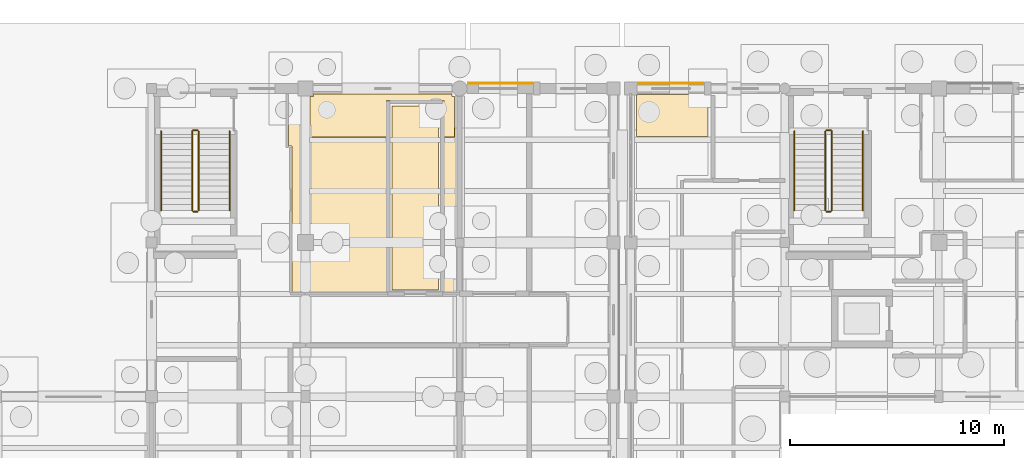
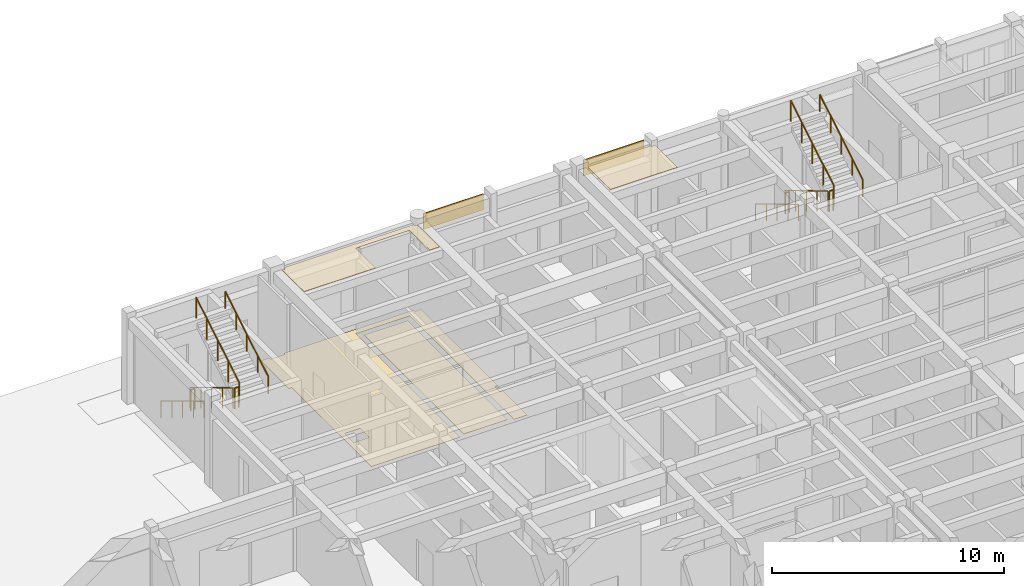
# One storey, part 134 of 143: 12 railings, 6 coverings.
"""IFC4 building model written with IfcOpenShell, lengths in metres."""

from ifc_helpers import new_model, si_unit, direction, frame, origin, origin_2d, place, context, subcontext, project, spatial, polyline, rectangle, circle, outline, extrude, material, layer, layer_set, type_object, element, save


model = new_model("IFC4")

# Units and contexts
model_context = context("Model", 3, precision=1e-05, world=origin(), true_north=direction((0.0, 1.0)))
body_context = subcontext(model_context, "Body", "Model", "MODEL_VIEW")
ifc_project = project(units=[si_unit("LENGTHUNIT", "METRE"), si_unit("AREAUNIT", "SQUARE_METRE"), si_unit("VOLUMEUNIT", "CUBIC_METRE"), si_unit("PLANEANGLEUNIT", "RADIAN"), si_unit("MASSUNIT", "GRAM", prefix="KILO")], contexts=[model_context])

# Site, building, storey
site_placement = place(None, origin())
site = spatial("IfcSite", under=ifc_project, at=site_placement, CompositionType="ELEMENT")
building_placement = place(site_placement, origin())
building = spatial("IfcBuilding", under=site, at=building_placement, Name="Steenspoor Specialist Clinic", CompositionType="ELEMENT")
storey_placement = place(building_placement, origin())
storey = spatial("IfcBuildingStorey", under=building, at=storey_placement, Name="L00", CompositionType="ELEMENT", Elevation=0.0)

# Coverings
ifc_material_1 = material(Name="Washable acoustic mineral ceiling board", Category="gypsum")
ifc_layer_1 = layer(ifc_material_1, 0.02490234375)
ifc_layer_set_1 = layer_set([ifc_layer_1], Name="Washable acoustic mineral ceiling board")
covering_type_1 = type_object("IfcCoveringType", Name="COV-CEIL-ACOUSTIC", PredefinedType="CEILING", material=ifc_layer_set_1)
covering_1_placement = place(storey_placement, frame((0.0, 0.0, 4.52490234375)))
element("IfcCovering", 1, at=covering_1_placement, inside=storey, type_object=covering_type_1, Name="Acoustic Clinical Ceiling 064", PredefinedType="CEILING", context=body_context, shape_type="SweptSolid", body=[
    extrude(outline(polyline([(52.675048828125, 108.034912109375), (52.715087890625, 108.034912109375), (52.715087890625, 108.074951171875), (55.8349609375, 108.074951171875), (55.8349609375, 108.02490234375), (56.014892578125, 108.02490234375), (56.014892578125, 106.10009765625), (52.675048828125, 106.10009765625), (52.675048828125, 108.034912109375)])), origin(), (0.0, 0.0, 1.0), 0.025146484375),
])
covering_2_placement = place(storey_placement, frame((0.0, 0.0, 4.4951171875)))
element("IfcCovering", 2, at=covering_2_placement, inside=storey, type_object=covering_type_1, Name="Acoustic Clinical Ceiling 080", PredefinedType="CEILING", context=body_context, shape_type="SweptSolid", body=[
    extrude(outline(polyline([(43.6650390625, 107.794921875), (40.985107421875, 107.794921875), (40.985107421875, 106.090087890625), (37.419921875, 106.090087890625), (37.419921875, 107.985107421875), (37.56494140625, 107.985107421875), (37.56494140625, 108.090087890625), (44.034912109375, 108.090087890625), (44.034912109375, 107.985107421875), (44.155029296875, 107.985107421875), (44.155029296875, 106.090087890625), (43.6650390625, 106.090087890625), (43.6650390625, 107.794921875)])), origin(), (0.0, 0.0, 1.0), 0.02490234375),
])
ifc_material_2 = material(Name="Glazed ceramic relief spandrel cladding", Category="masonry")
ifc_layer_2 = layer(ifc_material_2, 0.034912109375)
ifc_layer_set_2 = layer_set([ifc_layer_2], Name="Glazed ceramic relief spandrel cladding")
covering_type_2 = type_object("IfcCoveringType", Name="COV-CLAD-CERAMIC", PredefinedType="CLADDING", material=ifc_layer_set_2)
covering_3_placement = place(storey_placement, frame((54.27490234375, 108.60009765625, 3.71484375), z_axis=(0.0, 0.0, 1.0), x_axis=(1.0, 0.0, 0.0)))
element("IfcCovering", 3, at=covering_3_placement, inside=storey, type_object=covering_type_2, Name="Spandrel Cladding 23", PredefinedType="CLADDING", context=body_context, shape_type="SweptSolid", body=[
    extrude(rectangle(XDim=3.030029296875, YDim=0.0400390625, at=origin_2d()), origin(), (0.0, 0.0, 1.0), 0.840087890625),
])
covering_4_placement = place(storey_placement, frame((46.300048828125, 108.60009765625, 3.68505859375), z_axis=(0.0, 0.0, 1.0), x_axis=(1.0, 0.0, 0.0)))
element("IfcCovering", 4, at=covering_4_placement, inside=storey, type_object=covering_type_2, Name="Spandrel Cladding 67", PredefinedType="CLADDING", context=body_context, shape_type="SweptSolid", body=[
    extrude(rectangle(XDim=2.97998046875, YDim=0.0400390625, at=origin_2d()), origin(), (0.0, 0.0, 1.0), 0.840087890625),
])
ifc_material_3 = material(Name="Seamless clinical vinyl and terrazzo flooring", Category="plastic")
ifc_layer_3 = layer(ifc_material_3, 0.02001953125)
ifc_layer_set_3 = layer_set([ifc_layer_3], Name="Seamless clinical vinyl and terrazzo flooring")
covering_type_3 = type_object("IfcCoveringType", Name="COV-FLOOR-VINYL", PredefinedType="FLOORING", material=ifc_layer_set_3)
covering_5_placement = place(storey_placement, origin())
element("IfcCovering", 5, at=covering_5_placement, inside=storey, type_object=covering_type_3, Name="Clinical Vinyl Flooring 114", PredefinedType="FLOORING", context=body_context, shape_type="SweptSolid", body=[
    extrude(outline(polyline([(43.409912109375, 107.5400390625), (43.409912109375, 98.93994140625), (41.239990234375, 98.93994140625), (41.239990234375, 107.5400390625), (43.409912109375, 107.5400390625)])), origin(), (0.0, 0.0, 1.0), 0.02001953125),
])
covering_6_placement = place(storey_placement, origin())
element("IfcCovering", 6, at=covering_6_placement, inside=storey, type_object=covering_type_3, Name="Clinical Vinyl Flooring 115", PredefinedType="FLOORING", context=body_context, shape_type="SweptSolid", body=[
    extrude(outline(polyline([(43.6650390625, 98.81494140625), (43.6650390625, 107.794921875), (40.985107421875, 107.794921875), (40.985107421875, 98.81494140625), (36.56494140625, 98.81494140625), (36.56494140625, 105.6650390625), (36.4150390625, 105.6650390625), (36.4150390625, 108.090087890625), (36.8349609375, 108.090087890625), (36.8349609375, 107.985107421875), (37.56494140625, 107.985107421875), (37.56494140625, 108.090087890625), (44.034912109375, 108.090087890625), (44.034912109375, 107.985107421875), (44.3349609375, 107.985107421875), (44.3349609375, 101.364990234375), (44.18505859375, 101.364990234375), (44.18505859375, 100.93505859375), (44.3349609375, 100.93505859375), (44.3349609375, 98.81494140625), (43.6650390625, 98.81494140625)]), holes=[polyline([(37.590087890625, 101.5400390625), (36.81005859375, 101.5400390625), (36.81005859375, 100.760009765625), (37.590087890625, 100.760009765625), (37.590087890625, 101.5400390625)])]), origin(), (0.0, 0.0, 1.0), 0.02001953125),
])

# Railings
ifc_material_4 = material(Name="Painted architectural steel balustrade", Category="steel")
railing_type_1 = type_object("IfcRailingType", Name="RAIL-GUARD-1100", PredefinedType="GUARDRAIL", material=ifc_material_4)
railing_1_placement = place(storey_placement, frame((61.5, 106.35009765625, 0.17138671875)))
element("IfcRailing", 7, at=railing_1_placement, inside=storey, type_object=railing_type_1, Name="L00 ST-V4A stair guard 1", PredefinedType="GUARDRAIL", context=body_context, shape_type="SweptSolid", body=[
    extrude(circle(Radius=0.02392578125, at=origin_2d()), frame((0.0, 0.0, 1.076171875), z_axis=(0.0, -0.856934400257, 0.515425487977), x_axis=(1.0, 0.0, 0.0)), (0.0, 0.0, 1.0), 4.32373046875),
    extrude(circle(Radius=0.02099609375, at=origin_2d()), origin(), (0.0, 0.0, 1.0), 1.052001953125),
    extrude(circle(Radius=0.02099609375, at=origin_2d()), frame((0.0, -0.92626953125, 0.55712890625)), (0.0, 0.0, 1.0), 1.052001953125),
    extrude(circle(Radius=0.02099609375, at=origin_2d()), frame((0.0, -1.8525390625, 1.1142578125)), (0.0, 0.0, 1.0), 1.052001953125),
    extrude(circle(Radius=0.02099609375, at=origin_2d()), frame((0.0, -2.77880859375, 1.67138671875)), (0.0, 0.0, 1.0), 1.052001953125),
    extrude(circle(Radius=0.02099609375, at=origin_2d()), frame((0.0, -3.705078125, 2.228515625)), (0.0, 0.0, 1.0), 1.052001953125),
])
railing_2_placement = place(storey_placement, frame((61.550048828125, 102.594970703125, 2.39990234375)))
element("IfcRailing", 8, at=railing_2_placement, inside=storey, type_object=railing_type_1, Name="L00 ST-V4A stair guard 2", PredefinedType="GUARDRAIL", context=body_context, shape_type="SweptSolid", body=[
    extrude(circle(Radius=0.02392578125, at=origin_2d()), frame((0.0, 0.0, 1.076171875), z_axis=(1.0, 0.0, 0.0), x_axis=(0.0, 1.0, 0.0)), (0.0, 0.0, 1.0), 0.199951171875),
    extrude(circle(Radius=0.02099609375, at=origin_2d()), origin(), (0.0, 0.0, 1.0), 1.052001953125),
    extrude(circle(Radius=0.02099609375, at=origin_2d()), frame((0.199951171875, 0.0, 0.0)), (0.0, 0.0, 1.0), 1.052001953125),
])
railing_3_placement = place(storey_placement, frame((61.800048828125, 102.64501953125, 2.571533203125)))
element("IfcRailing", 9, at=railing_3_placement, inside=storey, type_object=railing_type_1, Name="L00 ST-V4A stair guard 3", PredefinedType="GUARDRAIL", context=body_context, shape_type="SweptSolid", body=[
    extrude(circle(Radius=0.02392578125, at=origin_2d()), frame((0.0, 0.0, 1.076171875), z_axis=(0.0, 0.856934400257, 0.515425487977), x_axis=(-1.0, 0.0, 0.0)), (0.0, 0.0, 1.0), 4.32373046875),
    extrude(circle(Radius=0.02099609375, at=origin_2d()), origin(), (0.0, 0.0, 1.0), 1.052001953125),
    extrude(circle(Radius=0.02099609375, at=origin_2d()), frame((0.0, 0.92626953125, 0.55712890625)), (0.0, 0.0, 1.0), 1.052001953125),
    extrude(circle(Radius=0.02099609375, at=origin_2d()), frame((0.0, 1.8525390625, 1.1142578125)), (0.0, 0.0, 1.0), 1.052001953125),
    extrude(circle(Radius=0.02099609375, at=origin_2d()), frame((0.0, 2.77880859375, 1.67138671875)), (0.0, 0.0, 1.0), 1.052001953125),
    extrude(circle(Radius=0.02099609375, at=origin_2d()), frame((0.0, 3.705078125, 2.228515625)), (0.0, 0.0, 1.0), 1.052001953125),
])
railing_4_placement = place(storey_placement, frame((61.550048828125, 106.39990234375, 0.0)))
element("IfcRailing", 10, at=railing_4_placement, inside=storey, type_object=railing_type_1, Name="L00 ST-V4A stair guard 4", PredefinedType="GUARDRAIL", context=body_context, shape_type="SweptSolid", body=[
    extrude(circle(Radius=0.02392578125, at=origin_2d()), frame((0.0, 0.0, 1.076171875), z_axis=(1.0, 0.0, 0.0), x_axis=(0.0, 1.0, 0.0)), (0.0, 0.0, 1.0), 0.199951171875),
    extrude(circle(Radius=0.02099609375, at=origin_2d()), origin(), (0.0, 0.0, 1.0), 1.052001953125),
    extrude(circle(Radius=0.02099609375, at=origin_2d()), frame((0.199951171875, 0.0, 0.0)), (0.0, 0.0, 1.0), 1.052001953125),
])
railing_5_placement = place(storey_placement, frame((31.89990234375, 106.35009765625, 0.17138671875)))
element("IfcRailing", 11, at=railing_5_placement, inside=storey, type_object=railing_type_1, Name="L00 ST-V5A stair guard 1", PredefinedType="GUARDRAIL", context=body_context, shape_type="SweptSolid", body=[
    extrude(circle(Radius=0.02392578125, at=origin_2d()), frame((0.0, 0.0, 1.076171875), z_axis=(0.0, -0.856934400257, 0.515425487977), x_axis=(1.0, 0.0, 0.0)), (0.0, 0.0, 1.0), 4.32373046875),
    extrude(circle(Radius=0.02099609375, at=origin_2d()), origin(), (0.0, 0.0, 1.0), 1.052001953125),
    extrude(circle(Radius=0.02099609375, at=origin_2d()), frame((0.0, -0.92626953125, 0.55712890625)), (0.0, 0.0, 1.0), 1.052001953125),
    extrude(circle(Radius=0.02099609375, at=origin_2d()), frame((0.0, -1.8525390625, 1.1142578125)), (0.0, 0.0, 1.0), 1.052001953125),
    extrude(circle(Radius=0.02099609375, at=origin_2d()), frame((0.0, -2.77880859375, 1.67138671875)), (0.0, 0.0, 1.0), 1.052001953125),
    extrude(circle(Radius=0.02099609375, at=origin_2d()), frame((0.0, -3.705078125, 2.228515625)), (0.0, 0.0, 1.0), 1.052001953125),
])
railing_6_placement = place(storey_placement, frame((31.949951171875, 102.594970703125, 2.39990234375)))
element("IfcRailing", 12, at=railing_6_placement, inside=storey, type_object=railing_type_1, Name="L00 ST-V5A stair guard 2", PredefinedType="GUARDRAIL", context=body_context, shape_type="SweptSolid", body=[
    extrude(circle(Radius=0.02392578125, at=origin_2d()), frame((0.0, 0.0, 1.076171875), z_axis=(1.0, 0.0, 0.0), x_axis=(0.0, 1.0, 0.0)), (0.0, 0.0, 1.0), 0.199951171875),
    extrude(circle(Radius=0.02099609375, at=origin_2d()), origin(), (0.0, 0.0, 1.0), 1.052001953125),
    extrude(circle(Radius=0.02099609375, at=origin_2d()), frame((0.199951171875, 0.0, 0.0)), (0.0, 0.0, 1.0), 1.052001953125),
])
railing_7_placement = place(storey_placement, frame((32.199951171875, 102.64501953125, 2.571533203125)))
element("IfcRailing", 13, at=railing_7_placement, inside=storey, type_object=railing_type_1, Name="L00 ST-V5A stair guard 3", PredefinedType="GUARDRAIL", context=body_context, shape_type="SweptSolid", body=[
    extrude(circle(Radius=0.02392578125, at=origin_2d()), frame((0.0, 0.0, 1.076171875), z_axis=(0.0, 0.856934400257, 0.515425487977), x_axis=(-1.0, 0.0, 0.0)), (0.0, 0.0, 1.0), 4.32373046875),
    extrude(circle(Radius=0.02099609375, at=origin_2d()), origin(), (0.0, 0.0, 1.0), 1.052001953125),
    extrude(circle(Radius=0.02099609375, at=origin_2d()), frame((0.0, 0.92626953125, 0.55712890625)), (0.0, 0.0, 1.0), 1.052001953125),
    extrude(circle(Radius=0.02099609375, at=origin_2d()), frame((0.0, 1.8525390625, 1.1142578125)), (0.0, 0.0, 1.0), 1.052001953125),
    extrude(circle(Radius=0.02099609375, at=origin_2d()), frame((0.0, 2.77880859375, 1.67138671875)), (0.0, 0.0, 1.0), 1.052001953125),
    extrude(circle(Radius=0.02099609375, at=origin_2d()), frame((0.0, 3.705078125, 2.228515625)), (0.0, 0.0, 1.0), 1.052001953125),
])
railing_8_placement = place(storey_placement, frame((31.949951171875, 106.39990234375, 0.0)))
element("IfcRailing", 14, at=railing_8_placement, inside=storey, type_object=railing_type_1, Name="L00 ST-V5A stair guard 4", PredefinedType="GUARDRAIL", context=body_context, shape_type="SweptSolid", body=[
    extrude(circle(Radius=0.02392578125, at=origin_2d()), frame((0.0, 0.0, 1.076171875), z_axis=(1.0, 0.0, 0.0), x_axis=(0.0, 1.0, 0.0)), (0.0, 0.0, 1.0), 0.199951171875),
    extrude(circle(Radius=0.02099609375, at=origin_2d()), origin(), (0.0, 0.0, 1.0), 1.052001953125),
    extrude(circle(Radius=0.02099609375, at=origin_2d()), frame((0.199951171875, 0.0, 0.0)), (0.0, 0.0, 1.0), 1.052001953125),
])
ifc_material_5 = material(Name="Brushed stainless steel clinical handrail", Category="steel")
railing_type_2 = type_object("IfcRailingType", Name="RAIL-HAND-900", PredefinedType="HANDRAIL", material=ifc_material_5)
railing_9_placement = place(storey_placement, frame((60.050048828125, 106.35009765625, 0.17138671875)))
element("IfcRailing", 15, at=railing_9_placement, inside=storey, type_object=railing_type_2, Name="L00 ST-V4A stair handrail 1", PredefinedType="HANDRAIL", context=body_context, shape_type="SweptSolid", body=[
    extrude(circle(Radius=0.02392578125, at=origin_2d()), frame((0.0, 0.0, 0.8759765625), z_axis=(0.0, -0.856934400257, 0.515425487977), x_axis=(1.0, 0.0, 0.0)), (0.0, 0.0, 1.0), 4.32373046875),
    extrude(circle(Radius=0.02099609375, at=origin_2d()), origin(), (0.0, 0.0, 1.0), 0.851806640625),
    extrude(circle(Radius=0.02099609375, at=origin_2d()), frame((0.0, -0.92626953125, 0.55712890625)), (0.0, 0.0, 1.0), 0.851806640625),
    extrude(circle(Radius=0.02099609375, at=origin_2d()), frame((0.0, -1.8525390625, 1.1142578125)), (0.0, 0.0, 1.0), 0.851806640625),
    extrude(circle(Radius=0.02099609375, at=origin_2d()), frame((0.0, -2.77880859375, 1.67138671875)), (0.0, 0.0, 1.0), 0.851806640625),
    extrude(circle(Radius=0.02099609375, at=origin_2d()), frame((0.0, -3.705078125, 2.228515625)), (0.0, 0.0, 1.0), 0.851806640625),
])
railing_10_placement = place(storey_placement, frame((63.25, 102.64501953125, 2.571533203125)))
element("IfcRailing", 16, at=railing_10_placement, inside=storey, type_object=railing_type_2, Name="L00 ST-V4A stair handrail 2", PredefinedType="HANDRAIL", context=body_context, shape_type="SweptSolid", body=[
    extrude(circle(Radius=0.02392578125, at=origin_2d()), frame((0.0, 0.0, 0.8759765625), z_axis=(0.0, 0.856934400257, 0.515425487977), x_axis=(-1.0, 0.0, 0.0)), (0.0, 0.0, 1.0), 4.32373046875),
    extrude(circle(Radius=0.02099609375, at=origin_2d()), origin(), (0.0, 0.0, 1.0), 0.851806640625),
    extrude(circle(Radius=0.02099609375, at=origin_2d()), frame((0.0, 0.92626953125, 0.55712890625)), (0.0, 0.0, 1.0), 0.851806640625),
    extrude(circle(Radius=0.02099609375, at=origin_2d()), frame((0.0, 1.8525390625, 1.1142578125)), (0.0, 0.0, 1.0), 0.851806640625),
    extrude(circle(Radius=0.02099609375, at=origin_2d()), frame((0.0, 2.77880859375, 1.67138671875)), (0.0, 0.0, 1.0), 0.851806640625),
    extrude(circle(Radius=0.02099609375, at=origin_2d()), frame((0.0, 3.705078125, 2.228515625)), (0.0, 0.0, 1.0), 0.851806640625),
])
railing_11_placement = place(storey_placement, frame((30.449951171875, 106.35009765625, 0.17138671875)))
element("IfcRailing", 17, at=railing_11_placement, inside=storey, type_object=railing_type_2, Name="L00 ST-V5A stair handrail 1", PredefinedType="HANDRAIL", context=body_context, shape_type="SweptSolid", body=[
    extrude(circle(Radius=0.02392578125, at=origin_2d()), frame((0.0, 0.0, 0.8759765625), z_axis=(0.0, -0.856934400257, 0.515425487977), x_axis=(1.0, 0.0, 0.0)), (0.0, 0.0, 1.0), 4.32373046875),
    extrude(circle(Radius=0.02099609375, at=origin_2d()), origin(), (0.0, 0.0, 1.0), 0.851806640625),
    extrude(circle(Radius=0.02099609375, at=origin_2d()), frame((0.0, -0.92626953125, 0.55712890625)), (0.0, 0.0, 1.0), 0.851806640625),
    extrude(circle(Radius=0.02099609375, at=origin_2d()), frame((0.0, -1.8525390625, 1.1142578125)), (0.0, 0.0, 1.0), 0.851806640625),
    extrude(circle(Radius=0.02099609375, at=origin_2d()), frame((0.0, -2.77880859375, 1.67138671875)), (0.0, 0.0, 1.0), 0.851806640625),
    extrude(circle(Radius=0.02099609375, at=origin_2d()), frame((0.0, -3.705078125, 2.228515625)), (0.0, 0.0, 1.0), 0.851806640625),
])
railing_12_placement = place(storey_placement, frame((33.64990234375, 102.64501953125, 2.571533203125)))
element("IfcRailing", 18, at=railing_12_placement, inside=storey, type_object=railing_type_2, Name="L00 ST-V5A stair handrail 2", PredefinedType="HANDRAIL", context=body_context, shape_type="SweptSolid", body=[
    extrude(circle(Radius=0.02392578125, at=origin_2d()), frame((0.0, 0.0, 0.8759765625), z_axis=(0.0, 0.856934400257, 0.515425487977), x_axis=(-1.0, 0.0, 0.0)), (0.0, 0.0, 1.0), 4.32373046875),
    extrude(circle(Radius=0.02099609375, at=origin_2d()), origin(), (0.0, 0.0, 1.0), 0.851806640625),
    extrude(circle(Radius=0.02099609375, at=origin_2d()), frame((0.0, 0.92626953125, 0.55712890625)), (0.0, 0.0, 1.0), 0.851806640625),
    extrude(circle(Radius=0.02099609375, at=origin_2d()), frame((0.0, 1.8525390625, 1.1142578125)), (0.0, 0.0, 1.0), 0.851806640625),
    extrude(circle(Radius=0.02099609375, at=origin_2d()), frame((0.0, 2.77880859375, 1.67138671875)), (0.0, 0.0, 1.0), 0.851806640625),
    extrude(circle(Radius=0.02099609375, at=origin_2d()), frame((0.0, 3.705078125, 2.228515625)), (0.0, 0.0, 1.0), 0.851806640625),
])

save(model, "model.ifc")
